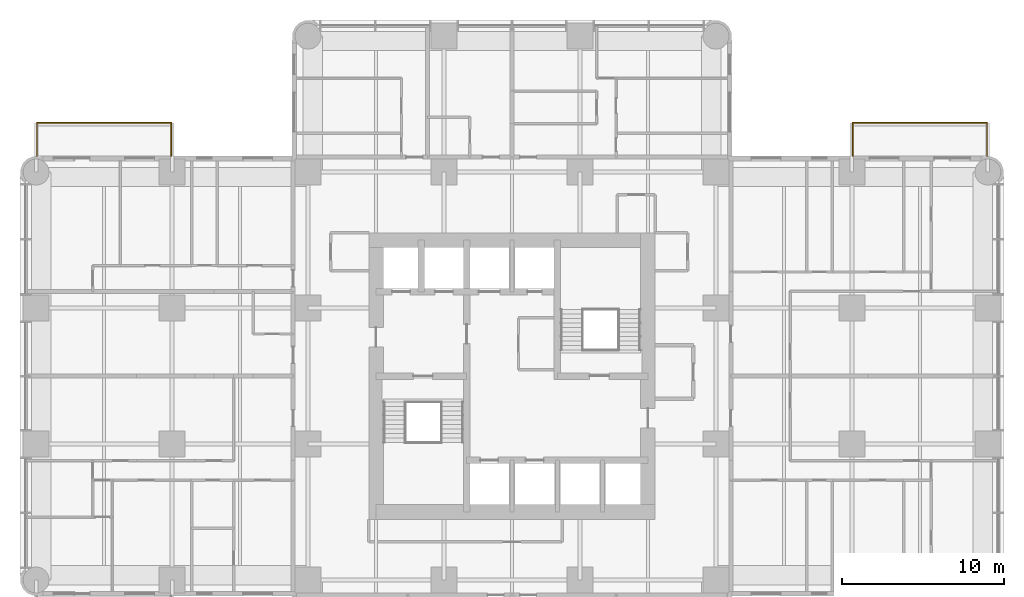
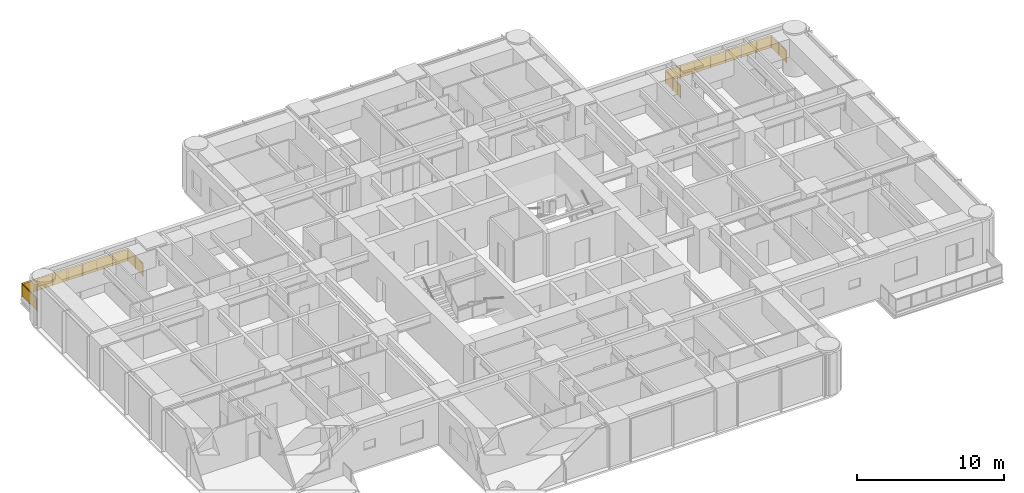
# One storey, part 14 of 14: 2 railings.
"""IFC4 building model written with IfcOpenShell, lengths in metres."""

import ifcopenshell
import ifcopenshell.guid

model = None  # the IFC model being written
_history = None  # IfcOwnerHistory: only IFC2X3 demands one
_inside = {}  # id of a spatial element -> (the spatial element, [elements in it])
_under = {}  # id of a project, library or spatial element -> (it, [spatial elements below it])
_declared = {}  # id of a project -> (the project, [libraries it declares])
_typed = {}  # id of a type object -> (the type object, [elements of that type])
_made_of = {}  # id of a material, layer set ... -> (it, [elements and type objects made of it])


def new_model(schema):
    """Start an empty IFC model of exactly this schema.

    Asked for "IFC4X3", IfcOpenShell would pick the latest addendum, in which some entities
    have other attributes; the version numbers below select the first issue.
    IFC2X3 requires an IfcOwnerHistory on every rooted entity: one is made here for all.
    """
    global model, _history
    if schema == "IFC4X3":
        model = ifcopenshell.file(schema_version=(4, 3, 0, 0))
    else:
        model = ifcopenshell.file(schema=schema)
    _inside.clear()
    _under.clear()
    _declared.clear()
    _typed.clear()
    _made_of.clear()
    _history = None
    if model.schema == "IFC2X3":
        org = make("IfcOrganization", Name="unknown")
        user = make(
            "IfcPersonAndOrganization",
            ThePerson=make("IfcPerson", FamilyName="unknown"),
            TheOrganization=org,
        )
        app = make(
            "IfcApplication",
            ApplicationDeveloper=org,
            Version="unknown",
            ApplicationFullName="unknown",
            ApplicationIdentifier="unknown",
        )
        _history = make(
            "IfcOwnerHistory",
            OwningUser=user,
            OwningApplication=app,
            ChangeAction="ADDED",
            CreationDate=0,
        )
    return model


def make(cls, **values):
    """One entity of the class cls with the attributes given. An attribute that is None is left unset."""
    return model.create_entity(
        cls, **{name: value for name, value in values.items() if value is not None}
    )


def rooted(cls, **values):
    """An entity with a GlobalId (a new one), such as an element, a storey or a relation."""
    return make(cls, GlobalId=ifcopenshell.guid.new(), OwnerHistory=_history, **values)


def si_unit(unit_type, name, prefix=None):
    """IfcSIUnit, for example si_unit("LENGTHUNIT", "METRE", prefix="MILLI")."""
    return make("IfcSIUnit", UnitType=unit_type, Prefix=prefix, Name=name)


def assignment(units):
    """IfcUnitAssignment: the units of a project."""
    return None if units is None else make("IfcUnitAssignment", Units=units)


def point(xyz):
    """IfcCartesianPoint."""
    return None if xyz is None else make("IfcCartesianPoint", Coordinates=xyz)


def direction(xyz):
    """IfcDirection."""
    return None if xyz is None else make("IfcDirection", DirectionRatios=xyz)


def frame(location, z_axis=None, x_axis=None):
    """IfcAxis2Placement3D, a coordinate frame: its origin and axes. An axis left out is left unset."""
    return make(
        "IfcAxis2Placement3D",
        Location=point(location),
        Axis=direction(z_axis),
        RefDirection=direction(x_axis),
    )


def frame_2d(location, x_axis=None):
    """IfcAxis2Placement2D, a coordinate frame in the plane: its origin and x axis."""
    return make(
        "IfcAxis2Placement2D", Location=point(location), RefDirection=direction(x_axis)
    )


def origin():
    """The frame at (0, 0, 0) with its axes left unset."""
    return frame((0.0, 0.0, 0.0))


def origin_2d():
    """The frame at (0, 0) in the plane with its x axis left unset."""
    return frame_2d((0.0, 0.0))


def place(relative_to, where):
    """IfcLocalPlacement: puts the frame where relative to a parent placement (None: the world)."""
    return make(
        "IfcLocalPlacement", PlacementRelTo=relative_to, RelativePlacement=where
    )


def context(
    kind, dimensions, precision=None, world=None, true_north=None, identifier=None
):
    """IfcGeometricRepresentationContext, for example the 3D "Model" context."""
    return make(
        "IfcGeometricRepresentationContext",
        ContextIdentifier=identifier,
        ContextType=kind,
        CoordinateSpaceDimension=dimensions,
        Precision=precision,
        WorldCoordinateSystem=world,
        TrueNorth=true_north,
    )


def subcontext(parent, identifier, kind, view, scale=None):
    """IfcGeometricRepresentationSubContext, for example "Body" below "Model"."""
    return make(
        "IfcGeometricRepresentationSubContext",
        ContextIdentifier=identifier,
        ContextType=kind,
        ParentContext=parent,
        TargetScale=scale,
        TargetView=view,
    )


def project(units=None, contexts=None):
    """IfcProject with its units and contexts."""
    return rooted(
        "IfcProject",
        Name="project",
        RepresentationContexts=contexts,
        UnitsInContext=assignment(units),
    )


def spatial(cls, under=None, at=None, **own):
    """A site, building, storey or space (cls), placed at a placement, below another one or the project."""
    s = rooted(cls, ObjectPlacement=at, **own)
    if under is not None:
        _under.setdefault(under.id(), (under, []))[1].append(s)
    return s


def polyline(points):
    """IfcPolyline through the points."""
    return make("IfcPolyline", Points=[point(p) for p in points])


def profile(cls, at=None, kind="AREA", **sizes):
    """A parametric profile (cls). Its sizes go by their IFC names, for example OverallWidth=200.0."""
    return make(cls, ProfileType=kind, Position=at, **sizes)


def circle(**sizes):
    """IfcCircleProfileDef."""
    return profile("IfcCircleProfileDef", **sizes)


def outline(outer, holes=None, kind="AREA"):
    """IfcArbitraryClosedProfileDef: a profile drawn as a closed curve; with holes, ...WithVoids."""
    if holes is None:
        return make("IfcArbitraryClosedProfileDef", ProfileType=kind, OuterCurve=outer)
    return make(
        "IfcArbitraryProfileDefWithVoids",
        ProfileType=kind,
        OuterCurve=outer,
        InnerCurves=holes,
    )


def extrude(swept, where, along, depth):
    """IfcExtrudedAreaSolid: the profile swept, set in the frame where, extruded along a direction by depth."""
    return make(
        "IfcExtrudedAreaSolid",
        SweptArea=swept,
        Position=where,
        ExtrudedDirection=direction(along),
        Depth=depth,
    )


def shape(context_of_items, identifier, shape_type, items):
    """IfcShapeRepresentation: the items that make up one representation, for example the "Body"."""
    return make(
        "IfcShapeRepresentation",
        ContextOfItems=context_of_items,
        RepresentationIdentifier=identifier,
        RepresentationType=shape_type,
        Items=items,
    )


def material(Name=None, Category=None):
    """IfcMaterial."""
    return make("IfcMaterial", Name=Name, Category=Category)


def constituent(of_material, Name=None, Category=None, fraction=None):
    """IfcMaterialConstituent: one of the materials an element consists of."""
    return make(
        "IfcMaterialConstituent",
        Name=Name,
        Material=of_material,
        Fraction=fraction,
        Category=Category,
    )


def constituent_set(constituents=None, Name=None):
    """IfcMaterialConstituentSet."""
    return make(
        "IfcMaterialConstituentSet", Name=Name, MaterialConstituents=constituents
    )


def made_of(thing, what):
    """Note that an element or type object is made of a material, layer set ...; save() writes the relation."""
    if what is not None:
        _made_of.setdefault(what.id(), (what, []))[1].append(thing)
    return thing


def type_object(cls, material=None, **own):
    """A type object (cls), such as IfcWallType, which elements share."""
    return made_of(rooted(cls, **own), material)


def element(
    cls,
    number,
    at=None,
    inside=None,
    cuts=None,
    type_object=None,
    material=None,
    context=None,
    identifier="Body",
    shape_type=None,
    held_by="IfcProductDefinitionShape",
    body=None,
    shapes=None,
    **own,
):
    """One element of the class cls, such as IfcWall. Its Tag is "e" and its number.

    at: its placement. inside: the storey or other place that contains it. cuts: it is an
    opening in that element (IfcRelVoidsElement). A single representation is given by context,
    identifier, shape_type and body (its items); several are given by shapes. held_by: the class
    of the entity that holds the representations. save() writes the other relations.
    """
    e = rooted(cls, Tag="e%d" % number, ObjectPlacement=at, **own)
    if body is not None:
        shapes = [shape(context, identifier, shape_type, body)]
    if shapes is not None:
        e.Representation = make(held_by, Representations=shapes)
    if inside is not None:
        _inside.setdefault(inside.id(), (inside, []))[1].append(e)
    if cuts is not None:
        rooted(
            "IfcRelVoidsElement", RelatingBuildingElement=cuts, RelatedOpeningElement=e
        )
    if type_object is not None:
        _typed.setdefault(type_object.id(), (type_object, []))[1].append(e)
    return made_of(e, material)


def aggregate(whole, parts):
    """IfcRelAggregates: a whole, such as a stair, and the parts it consists of."""
    return rooted("IfcRelAggregates", RelatingObject=whole, RelatedObjects=parts)


def save(model, path):
    """Write the relations noted so far, then the file.

    IfcRelAggregates (storeys below a building ...), IfcRelContainedInSpatialStructure (elements
    in a storey), IfcRelDefinesByType, IfcRelAssociatesMaterial and IfcRelDeclares: one each for
    every whole, place, type object, material and project.
    """
    for whole, parts in _under.values():
        aggregate(whole, parts)
    for where, things in _inside.values():
        rooted(
            "IfcRelContainedInSpatialStructure",
            RelatedElements=things,
            RelatingStructure=where,
        )
    for kind, things in _typed.values():
        rooted("IfcRelDefinesByType", RelatedObjects=things, RelatingType=kind)
    for what, things in _made_of.values():
        rooted("IfcRelAssociatesMaterial", RelatedObjects=things, RelatingMaterial=what)
    for by, libraries in _declared.values():
        rooted("IfcRelDeclares", RelatingContext=by, RelatedDefinitions=libraries)
    model.write(path)


model = new_model("IFC4")

# Units and contexts
model_context = context("Model", 3, precision=1e-05, world=origin(), true_north=direction((0.0, 1.0)))
body_context = subcontext(model_context, "Body", "Model", "MODEL_VIEW")
ifc_project = project(units=[si_unit("LENGTHUNIT", "METRE"), si_unit("AREAUNIT", "SQUARE_METRE"), si_unit("VOLUMEUNIT", "CUBIC_METRE"), si_unit("PLANEANGLEUNIT", "RADIAN"), si_unit("MASSUNIT", "GRAM", prefix="KILO")], contexts=[model_context])

# Site, building, storey
site_placement = place(None, origin())
site = spatial("IfcSite", under=ifc_project, at=site_placement, CompositionType="ELEMENT")
building_placement = place(site_placement, origin())
building = spatial("IfcBuilding", under=site, at=building_placement, Name="Torre Alcanfor", CompositionType="ELEMENT")
storey_placement = place(building_placement, frame((0.0, 0.0, 130.5)))
storey = spatial("IfcBuildingStorey", under=building, at=storey_placement, Name="L33", CompositionType="ELEMENT", Elevation=130.5)

# Railings
ifc_material_1 = material(Name="Laminated safety glass", Category="glass")
ifc_constituent_1 = constituent(ifc_material_1, Name="Infill")
ifc_material_2 = material(Name="Stainless steel ASTM A554 Grade MT 316L tube", Category="steel")
ifc_constituent_2 = constituent(ifc_material_2, Name="Posts and rail")
ifc_constituent_set = constituent_set(constituents=[ifc_constituent_1, ifc_constituent_2], Name="Balcony guard glass 1100")
railing_type = type_object("IfcRailingType", Name="Balcony guard glass 1100", PredefinedType="BALUSTRADE", material=ifc_constituent_set)
railing_1_placement = place(storey_placement, frame((50.449951171875, 43.0, 0.0)))
element("IfcRailing", 1, at=railing_1_placement, inside=storey, type_object=railing_type, Name="Balcony guard L33-E1", PredefinedType="BALUSTRADE", context=body_context, shape_type="SweptSolid", body=[
    extrude(circle(Radius=0.02392578125, at=origin_2d()), frame((0.0, 0.0, 1.076171875), z_axis=(0.0, 1.0, 0.0), x_axis=(-1.0, 0.0, 0.0)), (0.0, 0.0, 1.0), 2.050048828125),
    extrude(circle(Radius=0.02392578125, at=origin_2d()), frame((0.0, 2.050048828125, 1.076171875), z_axis=(1.0, 0.0, 0.0), x_axis=(0.0, 1.0, 0.0)), (0.0, 0.0, 1.0), 8.300048828125),
    extrude(circle(Radius=0.02392578125, at=origin_2d()), frame((8.300048828125, 2.050048828125, 1.076171875), z_axis=(0.0, -1.0, 0.0), x_axis=(1.0, 0.0, 0.0)), (0.0, 0.0, 1.0), 2.050048828125),
    extrude(circle(Radius=0.02099609375, at=origin_2d()), origin(), (0.0, 0.0, 1.0), 1.052001953125),
    extrude(circle(Radius=0.02099609375, at=origin_2d()), frame((0.0, 1.02490234375, 0.0)), (0.0, 0.0, 1.0), 1.052001953125),
    extrude(circle(Radius=0.02099609375, at=origin_2d()), frame((0.0, 2.050048828125, 0.0)), (0.0, 0.0, 1.0), 1.052001953125),
    extrude(circle(Radius=0.02099609375, at=origin_2d()), frame((1.185791015625, 2.050048828125, 0.0)), (0.0, 0.0, 1.0), 1.052001953125),
    extrude(circle(Radius=0.02099609375, at=origin_2d()), frame((2.371337890625, 2.050048828125, 0.0)), (0.0, 0.0, 1.0), 1.052001953125),
    extrude(circle(Radius=0.02099609375, at=origin_2d()), frame((3.55712890625, 2.050048828125, 0.0)), (0.0, 0.0, 1.0), 1.052001953125),
    extrude(circle(Radius=0.02099609375, at=origin_2d()), frame((4.742919921875, 2.050048828125, 0.0)), (0.0, 0.0, 1.0), 1.052001953125),
    extrude(circle(Radius=0.02099609375, at=origin_2d()), frame((5.9287109375, 2.050048828125, 0.0)), (0.0, 0.0, 1.0), 1.052001953125),
    extrude(circle(Radius=0.02099609375, at=origin_2d()), frame((7.1142578125, 2.050048828125, 0.0)), (0.0, 0.0, 1.0), 1.052001953125),
    extrude(circle(Radius=0.02099609375, at=origin_2d()), frame((8.300048828125, 2.050048828125, 0.0)), (0.0, 0.0, 1.0), 1.052001953125),
    extrude(circle(Radius=0.02099609375, at=origin_2d()), frame((8.300048828125, 1.02490234375, 0.0)), (0.0, 0.0, 1.0), 1.052001953125),
    extrude(circle(Radius=0.02099609375, at=origin_2d()), frame((8.300048828125, 0.0, 0.0)), (0.0, 0.0, 1.0), 1.052001953125),
    extrude(outline(polyline([(0.041015625, 0.050048828125), (0.984130859375, 0.050048828125), (0.984130859375, 1.001953125), (0.041015625, 1.001953125), (0.041015625, 0.050048828125)])), frame((-0.005859375, 0.0, 0.0), z_axis=(1.0, 0.0, 0.0), x_axis=(0.0, 1.0, 0.0)), (0.0, 0.0, 1.0), 0.011962890625),
    extrude(outline(polyline([(1.06591796875, 0.050048828125), (2.009033203125, 0.050048828125), (2.009033203125, 1.001953125), (1.06591796875, 1.001953125), (1.06591796875, 0.050048828125)])), frame((-0.005859375, 0.0, 0.0), z_axis=(1.0, 0.0, 0.0), x_axis=(0.0, 1.0, 0.0)), (0.0, 0.0, 1.0), 0.011962890625),
    extrude(outline(polyline([(0.041015625, 0.050048828125), (1.144775390625, 0.050048828125), (1.144775390625, 1.001953125), (0.041015625, 1.001953125), (0.041015625, 0.050048828125)])), frame((0.0, 2.05615234375, 0.0), z_axis=(0.0, -1.0, 0.0), x_axis=(1.0, 0.0, 0.0)), (0.0, 0.0, 1.0), 0.011962890625),
    extrude(outline(polyline([(1.226806640625, 0.050048828125), (2.330322265625, 0.050048828125), (2.330322265625, 1.001953125), (1.226806640625, 1.001953125), (1.226806640625, 0.050048828125)])), frame((0.0, 2.05615234375, 0.0), z_axis=(0.0, -1.0, 0.0), x_axis=(1.0, 0.0, 0.0)), (0.0, 0.0, 1.0), 0.011962890625),
    extrude(outline(polyline([(2.412353515625, 0.050048828125), (3.51611328125, 0.050048828125), (3.51611328125, 1.001953125), (2.412353515625, 1.001953125), (2.412353515625, 0.050048828125)])), frame((0.0, 2.05615234375, 0.0), z_axis=(0.0, -1.0, 0.0), x_axis=(1.0, 0.0, 0.0)), (0.0, 0.0, 1.0), 0.011962890625),
    extrude(outline(polyline([(3.59814453125, 0.050048828125), (4.701904296875, 0.050048828125), (4.701904296875, 1.001953125), (3.59814453125, 1.001953125), (3.59814453125, 0.050048828125)])), frame((0.0, 2.05615234375, 0.0), z_axis=(0.0, -1.0, 0.0), x_axis=(1.0, 0.0, 0.0)), (0.0, 0.0, 1.0), 0.011962890625),
    extrude(outline(polyline([(4.783935546875, 0.050048828125), (5.8876953125, 0.050048828125), (5.8876953125, 1.001953125), (4.783935546875, 1.001953125), (4.783935546875, 0.050048828125)])), frame((0.0, 2.05615234375, 0.0), z_axis=(0.0, -1.0, 0.0), x_axis=(1.0, 0.0, 0.0)), (0.0, 0.0, 1.0), 0.011962890625),
    extrude(outline(polyline([(5.9697265625, 0.050048828125), (7.0732421875, 0.050048828125), (7.0732421875, 1.001953125), (5.9697265625, 1.001953125), (5.9697265625, 0.050048828125)])), frame((0.0, 2.05615234375, 0.0), z_axis=(0.0, -1.0, 0.0), x_axis=(1.0, 0.0, 0.0)), (0.0, 0.0, 1.0), 0.011962890625),
    extrude(outline(polyline([(7.1552734375, 0.050048828125), (8.259033203125, 0.050048828125), (8.259033203125, 1.001953125), (7.1552734375, 1.001953125), (7.1552734375, 0.050048828125)])), frame((0.0, 2.05615234375, 0.0), z_axis=(0.0, -1.0, 0.0), x_axis=(1.0, 0.0, 0.0)), (0.0, 0.0, 1.0), 0.011962890625),
    extrude(outline(polyline([(0.041015625, 0.050048828125), (0.984130859375, 0.050048828125), (0.984130859375, 1.001953125), (0.041015625, 1.001953125), (0.041015625, 0.050048828125)])), frame((8.30615234375, 2.050048828125, 0.0), z_axis=(-1.0, 0.0, 0.0), x_axis=(0.0, -1.0, 0.0)), (0.0, 0.0, 1.0), 0.011962890625),
    extrude(outline(polyline([(1.06591796875, 0.050048828125), (2.009033203125, 0.050048828125), (2.009033203125, 1.001953125), (1.06591796875, 1.001953125), (1.06591796875, 0.050048828125)])), frame((8.30615234375, 2.050048828125, 0.0), z_axis=(-1.0, 0.0, 0.0), x_axis=(0.0, -1.0, 0.0)), (0.0, 0.0, 1.0), 0.011962890625),
])
railing_2_placement = place(storey_placement, frame((8.35009765625, 43.0, 0.0)))
element("IfcRailing", 2, at=railing_2_placement, inside=storey, type_object=railing_type, Name="Balcony guard L33-W2", PredefinedType="BALUSTRADE", context=body_context, shape_type="SweptSolid", body=[
    extrude(circle(Radius=0.02392578125, at=origin_2d()), frame((0.0, 0.0, 1.076171875), z_axis=(0.0, 1.0, 0.0), x_axis=(-1.0, 0.0, 0.0)), (0.0, 0.0, 1.0), 2.050048828125),
    extrude(circle(Radius=0.02392578125, at=origin_2d()), frame((0.0, 2.050048828125, 1.076171875), z_axis=(-1.0, 0.0, 0.0), x_axis=(0.0, -1.0, 0.0)), (0.0, 0.0, 1.0), 8.300048828125),
    extrude(circle(Radius=0.02392578125, at=origin_2d()), frame((-8.300048828125, 2.050048828125, 1.076171875), z_axis=(0.0, -1.0, 0.0), x_axis=(1.0, 0.0, 0.0)), (0.0, 0.0, 1.0), 2.050048828125),
    extrude(circle(Radius=0.02099609375, at=origin_2d()), origin(), (0.0, 0.0, 1.0), 1.052001953125),
    extrude(circle(Radius=0.02099609375, at=origin_2d()), frame((0.0, 1.02490234375, 0.0)), (0.0, 0.0, 1.0), 1.052001953125),
    extrude(circle(Radius=0.02099609375, at=origin_2d()), frame((0.0, 2.050048828125, 0.0)), (0.0, 0.0, 1.0), 1.052001953125),
    extrude(circle(Radius=0.02099609375, at=origin_2d()), frame((-1.185791015625, 2.050048828125, 0.0)), (0.0, 0.0, 1.0), 1.052001953125),
    extrude(circle(Radius=0.02099609375, at=origin_2d()), frame((-2.371337890625, 2.050048828125, 0.0)), (0.0, 0.0, 1.0), 1.052001953125),
    extrude(circle(Radius=0.02099609375, at=origin_2d()), frame((-3.55712890625, 2.050048828125, 0.0)), (0.0, 0.0, 1.0), 1.052001953125),
    extrude(circle(Radius=0.02099609375, at=origin_2d()), frame((-4.742919921875, 2.050048828125, 0.0)), (0.0, 0.0, 1.0), 1.052001953125),
    extrude(circle(Radius=0.02099609375, at=origin_2d()), frame((-5.9287109375, 2.050048828125, 0.0)), (0.0, 0.0, 1.0), 1.052001953125),
    extrude(circle(Radius=0.02099609375, at=origin_2d()), frame((-7.1142578125, 2.050048828125, 0.0)), (0.0, 0.0, 1.0), 1.052001953125),
    extrude(circle(Radius=0.02099609375, at=origin_2d()), frame((-8.300048828125, 2.050048828125, 0.0)), (0.0, 0.0, 1.0), 1.052001953125),
    extrude(circle(Radius=0.02099609375, at=origin_2d()), frame((-8.300048828125, 1.02490234375, 0.0)), (0.0, 0.0, 1.0), 1.052001953125),
    extrude(circle(Radius=0.02099609375, at=origin_2d()), frame((-8.300048828125, 0.0, 0.0)), (0.0, 0.0, 1.0), 1.052001953125),
    extrude(outline(polyline([(0.041015625, 0.050048828125), (0.984130859375, 0.050048828125), (0.984130859375, 1.001953125), (0.041015625, 1.001953125), (0.041015625, 0.050048828125)])), frame((-0.005859375, 0.0, 0.0), z_axis=(1.0, 0.0, 0.0), x_axis=(0.0, 1.0, 0.0)), (0.0, 0.0, 1.0), 0.011962890625),
    extrude(outline(polyline([(1.06591796875, 0.050048828125), (2.009033203125, 0.050048828125), (2.009033203125, 1.001953125), (1.06591796875, 1.001953125), (1.06591796875, 0.050048828125)])), frame((-0.005859375, 0.0, 0.0), z_axis=(1.0, 0.0, 0.0), x_axis=(0.0, 1.0, 0.0)), (0.0, 0.0, 1.0), 0.011962890625),
    extrude(outline(polyline([(0.041015625, 0.050048828125), (1.144775390625, 0.050048828125), (1.144775390625, 1.001953125), (0.041015625, 1.001953125), (0.041015625, 0.050048828125)])), frame((0.0, 2.0439453125, 0.0), z_axis=(0.0, 1.0, 0.0), x_axis=(-1.0, 0.0, 0.0)), (0.0, 0.0, 1.0), 0.011962890625),
    extrude(outline(polyline([(1.226806640625, 0.050048828125), (2.330322265625, 0.050048828125), (2.330322265625, 1.001953125), (1.226806640625, 1.001953125), (1.226806640625, 0.050048828125)])), frame((0.0, 2.0439453125, 0.0), z_axis=(0.0, 1.0, 0.0), x_axis=(-1.0, 0.0, 0.0)), (0.0, 0.0, 1.0), 0.011962890625),
    extrude(outline(polyline([(2.412353515625, 0.050048828125), (3.51611328125, 0.050048828125), (3.51611328125, 1.001953125), (2.412353515625, 1.001953125), (2.412353515625, 0.050048828125)])), frame((0.0, 2.0439453125, 0.0), z_axis=(0.0, 1.0, 0.0), x_axis=(-1.0, 0.0, 0.0)), (0.0, 0.0, 1.0), 0.011962890625),
    extrude(outline(polyline([(3.59814453125, 0.050048828125), (4.701904296875, 0.050048828125), (4.701904296875, 1.001953125), (3.59814453125, 1.001953125), (3.59814453125, 0.050048828125)])), frame((0.0, 2.0439453125, 0.0), z_axis=(0.0, 1.0, 0.0), x_axis=(-1.0, 0.0, 0.0)), (0.0, 0.0, 1.0), 0.011962890625),
    extrude(outline(polyline([(4.783935546875, 0.050048828125), (5.8876953125, 0.050048828125), (5.8876953125, 1.001953125), (4.783935546875, 1.001953125), (4.783935546875, 0.050048828125)])), frame((0.0, 2.0439453125, 0.0), z_axis=(0.0, 1.0, 0.0), x_axis=(-1.0, 0.0, 0.0)), (0.0, 0.0, 1.0), 0.011962890625),
    extrude(outline(polyline([(5.9697265625, 0.050048828125), (7.0732421875, 0.050048828125), (7.0732421875, 1.001953125), (5.9697265625, 1.001953125), (5.9697265625, 0.050048828125)])), frame((0.0, 2.0439453125, 0.0), z_axis=(0.0, 1.0, 0.0), x_axis=(-1.0, 0.0, 0.0)), (0.0, 0.0, 1.0), 0.011962890625),
    extrude(outline(polyline([(7.1552734375, 0.050048828125), (8.259033203125, 0.050048828125), (8.259033203125, 1.001953125), (7.1552734375, 1.001953125), (7.1552734375, 0.050048828125)])), frame((0.0, 2.0439453125, 0.0), z_axis=(0.0, 1.0, 0.0), x_axis=(-1.0, 0.0, 0.0)), (0.0, 0.0, 1.0), 0.011962890625),
    extrude(outline(polyline([(0.041015625, 0.050048828125), (0.984130859375, 0.050048828125), (0.984130859375, 1.001953125), (0.041015625, 1.001953125), (0.041015625, 0.050048828125)])), frame((-8.2939453125, 2.050048828125, 0.0), z_axis=(-1.0, 0.0, 0.0), x_axis=(0.0, -1.0, 0.0)), (0.0, 0.0, 1.0), 0.011962890625),
    extrude(outline(polyline([(1.06591796875, 0.050048828125), (2.009033203125, 0.050048828125), (2.009033203125, 1.001953125), (1.06591796875, 1.001953125), (1.06591796875, 0.050048828125)])), frame((-8.2939453125, 2.050048828125, 0.0), z_axis=(-1.0, 0.0, 0.0), x_axis=(0.0, -1.0, 0.0)), (0.0, 0.0, 1.0), 0.011962890625),
])

save(model, "model.ifc")
